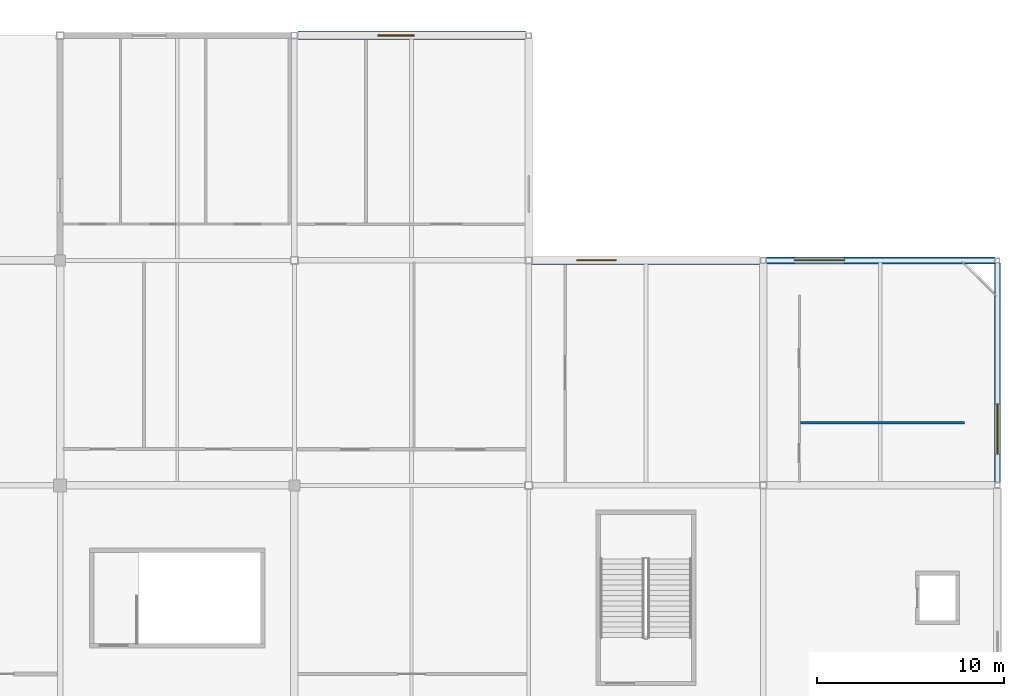
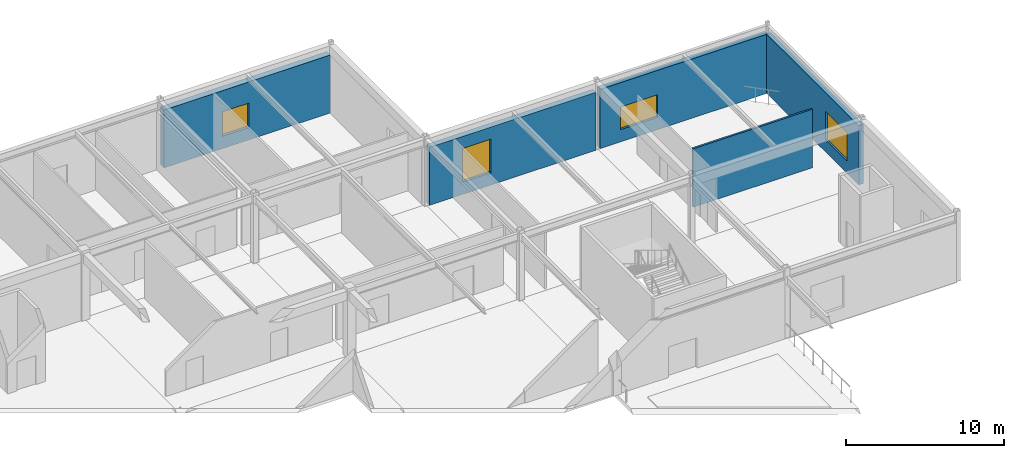
# One storey, part 84 of 105: 5 walls, 4 windows, 4 openings.
"""IFC4 building model written with IfcOpenShell, lengths in metres."""

from ifc_helpers import new_model, si_unit, direction, frame, frame_2d, origin, place, context, subcontext, project, spatial, rectangle, extrude, material, layer, layer_set, type_object, element, fill, save


model = new_model("IFC4")

# Units and contexts
model_context = context("Model", 3, precision=1e-05, world=origin(), true_north=direction((0.0, 1.0)))
body_context = subcontext(model_context, "Body", "Model", "MODEL_VIEW")
ifc_project = project(units=[si_unit("LENGTHUNIT", "METRE"), si_unit("AREAUNIT", "SQUARE_METRE"), si_unit("VOLUMEUNIT", "CUBIC_METRE"), si_unit("PLANEANGLEUNIT", "RADIAN"), si_unit("MASSUNIT", "GRAM", prefix="KILO")], contexts=[model_context])

# Site, building, storey
site_placement = place(None, origin())
site = spatial("IfcSite", under=ifc_project, at=site_placement, CompositionType="ELEMENT")
building_placement = place(site_placement, origin())
building = spatial("IfcBuilding", under=site, at=building_placement, Name="Kazenohara Klinker Stadium", CompositionType="ELEMENT")
storey_placement = place(building_placement, frame((0.0, 0.0, 20.39990234375)))
storey = spatial("IfcBuildingStorey", under=building, at=storey_placement, Name="L04", CompositionType="ELEMENT", Elevation=20.39990234375)

# Wall, opening, window
ifc_material_1 = material(Name="Clinker brick masonry", Category="masonry")
ifc_layer_1 = layer(ifc_material_1, 0.340087890625)
ifc_layer_set_1 = layer_set([ifc_layer_1], Name="Clinker brick masonry")
wall_type_1 = type_object("IfcWallType", Name="WAL-EXT-CB340", PredefinedType="SOLIDWALL", material=ifc_layer_set_1)
wall_1_placement = place(storey_placement, frame((200.0, 144.154052734375, 0.0), z_axis=(0.0, 0.0, 1.0), x_axis=(0.0, 1.0, 0.0)))
wall_1 = element("IfcWall", 1, at=wall_1_placement, inside=storey, type_object=wall_type_1, Name="Clinker brick cavity wall EW04 L04 Y16-12", PredefinedType="SOLIDWALL", context=body_context, shape_type="SweptSolid", body=[
    extrude(rectangle(XDim=11.717041015625, YDim=0.340087890625, at=frame_2d((5.8583984375, 0.0))), origin(), (0.0, 0.0, 1.0), 4.580078125),
])
opening_1_placement = place(wall_1_placement, frame((1.5, 0.0, 0.949951171875)))
opening_1 = element("IfcOpeningElement", 2, at=opening_1_placement, cuts=wall_1, Name="Opening W28", PredefinedType="OPENING", context=body_context, shape_type="SweptSolid", body=[
    extrude(rectangle(XDim=2.699951171875, YDim=2.199951171875, at=frame_2d((1.35009765625, 1.10009765625))), frame((0.0, 0.18017578125, 0.0), z_axis=(0.0, -1.0, 0.0), x_axis=(1.0, 0.0, 0.0)), (0.0, 0.0, 1.0), 0.360107421875),
])
ifc_material_2 = material(Name="Dark bronze aluminium frame and triple glazing", Category="aluminium")
window_type_1 = type_object("IfcWindowType", Name="WIN-AS-28", PartitioningType="SINGLE_PANEL", PredefinedType="WINDOW", material=ifc_material_2)
window_1_placement = place(opening_1_placement, origin())
window_1 = element("IfcWindow", 3, at=window_1_placement, inside=storey, type_object=window_type_1, Name="Horizontal-mullion ladder window W28 L04 Y16-12", OverallHeight=2.199951171875, OverallWidth=2.699951171875, PartitioningType="SINGLE_PANEL", PredefinedType="WINDOW", context=body_context, shape_type="SweptSolid", body=[
    extrude(rectangle(XDim=2.699951171875, YDim=2.199951171875, at=frame_2d((1.35009765625, 1.10009765625))), frame((0.0, 0.030029296875, 0.0), z_axis=(0.0, -1.0, 0.0), x_axis=(1.0, 0.0, 0.0)), (0.0, 0.0, 1.0), 0.06005859375),
])
fill(opening_1, window_1)

ifc_layer_2 = layer(ifc_material_1, 0.3701171875)
ifc_layer_set_2 = layer_set([ifc_layer_2], Name="Clinker brick masonry")
wall_type_2 = type_object("IfcWallType", Name="WAL-EXT-CB370", PredefinedType="SOLIDWALL", material=ifc_layer_set_2)
wall_2_placement = place(storey_placement, frame((187.654052734375, 156.0, 0.0), z_axis=(0.0, 0.0, 1.0), x_axis=(1.0, 0.0, 0.0)))
wall_2 = element("IfcWall", 4, at=wall_2_placement, inside=storey, type_object=wall_type_2, Name="Clinker brick cavity wall EW03 L04 X15-13", PredefinedType="SOLIDWALL", context=body_context, shape_type="SweptSolid", body=[
    extrude(rectangle(XDim=12.217041015625, YDim=0.3701171875, at=frame_2d((6.1083984375, 0.0))), origin(), (0.0, 0.0, 1.0), 4.580078125),
])
opening_2_placement = place(wall_2_placement, frame((1.5, 0.0, 0.949951171875)))
opening_2 = element("IfcOpeningElement", 5, at=opening_2_placement, cuts=wall_2, Name="Opening W27", PredefinedType="OPENING", context=body_context, shape_type="SweptSolid", body=[
    extrude(rectangle(XDim=2.699951171875, YDim=1.75, at=frame_2d((1.35009765625, 0.875))), frame((0.0, 0.195068359375, 0.0), z_axis=(0.0, -1.0, 0.0), x_axis=(1.0, 0.0, 0.0)), (0.0, 0.0, 1.0), 0.39013671875),
])
window_type_2 = type_object("IfcWindowType", Name="WIN-AS-27", PartitioningType="SINGLE_PANEL", PredefinedType="WINDOW", material=ifc_material_2)
window_2_placement = place(opening_2_placement, origin())
window_2 = element("IfcWindow", 6, at=window_2_placement, inside=storey, type_object=window_type_2, Name="Horizontal-mullion ladder window W27 L04 X15-13", OverallHeight=1.75, OverallWidth=2.699951171875, PartitioningType="SINGLE_PANEL", PredefinedType="WINDOW", context=body_context, shape_type="SweptSolid", body=[
    extrude(rectangle(XDim=2.699951171875, YDim=1.75, at=frame_2d((1.35009765625, 0.875))), frame((0.0, 0.030029296875, 0.0), z_axis=(0.0, -1.0, 0.0), x_axis=(1.0, 0.0, 0.0)), (0.0, 0.0, 1.0), 0.06005859375),
])
fill(opening_2, window_2)

ifc_layer_3 = layer(ifc_material_1, 0.409912109375)
ifc_layer_set_3 = layer_set([ifc_layer_3], Name="Clinker brick masonry")
wall_type_3 = type_object("IfcWallType", Name="WAL-EXT-CB410", PredefinedType="SOLIDWALL", material=ifc_layer_set_3)
wall_3_placement = place(storey_placement, frame((175.178955078125, 156.0, 0.0), z_axis=(0.0, 0.0, 1.0), x_axis=(1.0, 0.0, 0.0)))
wall_3 = element("IfcWall", 7, at=wall_3_placement, inside=storey, type_object=wall_type_3, Name="Clinker brick cavity wall EW02 L04 X14-13", PredefinedType="SOLIDWALL", context=body_context, shape_type="SweptSolid", body=[
    extrude(rectangle(XDim=12.1669921875, YDim=0.409912109375, at=frame_2d((6.08349609375, 0.0))), origin(), (0.0, 0.0, 1.0), 4.47998046875),
])
opening_3_placement = place(wall_3_placement, frame((2.39111328125, 0.0, 0.949951171875)))
opening_3 = element("IfcOpeningElement", 8, at=opening_3_placement, cuts=wall_3, Name="Opening W20", PredefinedType="OPENING", context=body_context, shape_type="SweptSolid", body=[
    extrude(rectangle(XDim=2.10009765625, YDim=2.60009765625, at=frame_2d((1.050048828125, 1.300048828125))), frame((0.0, 0.21484375, 0.0), z_axis=(0.0, -1.0, 0.0), x_axis=(1.0, 0.0, 0.0)), (0.0, 0.0, 1.0), 0.429931640625),
])
window_type_3 = type_object("IfcWindowType", Name="WIN-AS-20", PartitioningType="SINGLE_PANEL", PredefinedType="WINDOW", material=ifc_material_2)
window_3_placement = place(opening_3_placement, origin())
window_3 = element("IfcWindow", 9, at=window_3_placement, inside=storey, type_object=window_type_3, Name="Horizontal-mullion ladder window W20 L04 X14-13", OverallHeight=2.60009765625, OverallWidth=2.10009765625, PartitioningType="SINGLE_PANEL", PredefinedType="WINDOW", context=body_context, shape_type="SweptSolid", body=[
    extrude(rectangle(XDim=2.10009765625, YDim=2.60009765625, at=frame_2d((1.050048828125, 1.300048828125))), frame((0.0, 0.030029296875, 0.0), z_axis=(0.0, -1.0, 0.0), x_axis=(1.0, 0.0, 0.0)), (0.0, 0.0, 1.0), 0.06005859375),
])
fill(opening_3, window_3)

ifc_layer_4 = layer(ifc_material_1, 0.449951171875)
ifc_layer_set_4 = layer_set([ifc_layer_4], Name="Clinker brick masonry")
wall_type_4 = type_object("IfcWallType", Name="WAL-EXT-CB450", PredefinedType="SOLIDWALL", material=ifc_layer_set_4)
wall_4_placement = place(storey_placement, frame((162.678955078125, 168.0, 0.0), z_axis=(0.0, 0.0, 1.0), x_axis=(1.0, 0.0, 0.0)))
wall_4 = element("IfcWall", 10, at=wall_4_placement, inside=storey, type_object=wall_type_4, Name="Clinker brick cavity wall EW01 L04 X13-14", PredefinedType="SOLIDWALL", context=body_context, shape_type="SweptSolid", body=[
    extrude(rectangle(XDim=12.1669921875, YDim=0.449951171875, at=frame_2d((6.08349609375, 0.0))), origin(), (0.0, 0.0, 1.0), 4.47998046875),
])
opening_4_placement = place(wall_4_placement, frame((4.264892578125, 0.0, 0.949951171875)))
opening_4 = element("IfcOpeningElement", 11, at=opening_4_placement, cuts=wall_4, Name="Opening W16", PredefinedType="OPENING", context=body_context, shape_type="SweptSolid", body=[
    extrude(rectangle(XDim=1.949951171875, YDim=1.89990234375, at=frame_2d((0.97509765625, 0.949951171875))), frame((0.0, 0.23486328125, 0.0), z_axis=(0.0, -1.0, 0.0), x_axis=(1.0, 0.0, 0.0)), (0.0, 0.0, 1.0), 0.469970703125),
])
window_type_4 = type_object("IfcWindowType", Name="WIN-AS-16", PartitioningType="SINGLE_PANEL", PredefinedType="WINDOW", material=ifc_material_2)
window_4_placement = place(opening_4_placement, origin())
window_4 = element("IfcWindow", 12, at=window_4_placement, inside=storey, type_object=window_type_4, Name="Horizontal-mullion ladder window W16 L04 X13-14", OverallHeight=1.89990234375, OverallWidth=1.949951171875, PartitioningType="SINGLE_PANEL", PredefinedType="WINDOW", context=body_context, shape_type="SweptSolid", body=[
    extrude(rectangle(XDim=1.949951171875, YDim=1.89990234375, at=frame_2d((0.97509765625, 0.949951171875))), frame((0.0, 0.030029296875, 0.0), z_axis=(0.0, -1.0, 0.0), x_axis=(1.0, 0.0, 0.0)), (0.0, 0.0, 1.0), 0.06005859375),
])
fill(opening_4, window_4)

# Wall
ifc_material_3 = material(Name="Fire-rated gypsum board on acoustic studs", Category="gypsum")
ifc_layer_5 = layer(ifc_material_3, 0.139892578125)
ifc_layer_set_5 = layer_set([ifc_layer_5], Name="Fire-rated gypsum board on acoustic studs")
wall_type_5 = type_object("IfcWallType", Name="WAL-INT-P140", PredefinedType="PARTITIONING", material=ifc_layer_set_5)
wall_5_placement = place(storey_placement, frame((189.5048828125, 147.3369140625, 0.0), z_axis=(0.0, 0.0, 1.0), x_axis=(1.0, 0.0, 0.0)))
element("IfcWall", 13, at=wall_5_placement, inside=storey, type_object=wall_type_5, Name="Interior partition wall PT03 SPC-L04-15-12-1-2", PredefinedType="PARTITIONING", context=body_context, shape_type="SweptSolid", body=[
    extrude(rectangle(XDim=8.7451171875, YDim=0.139892578125, at=frame_2d((4.37255859375, 0.0))), origin(), (0.0, 0.0, 1.0), 4.52001953125),
])

save(model, "model.ifc")
